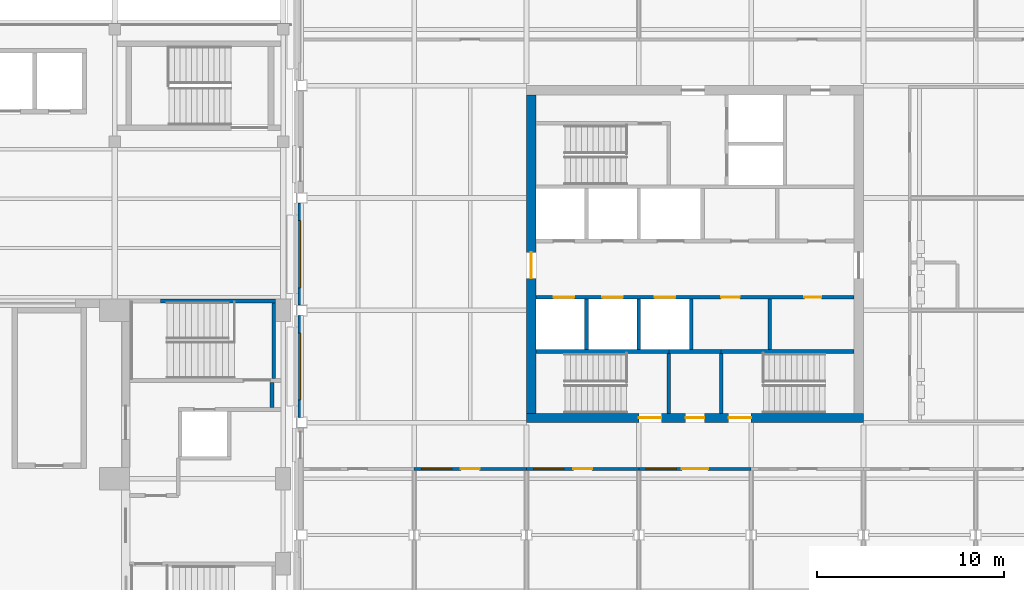
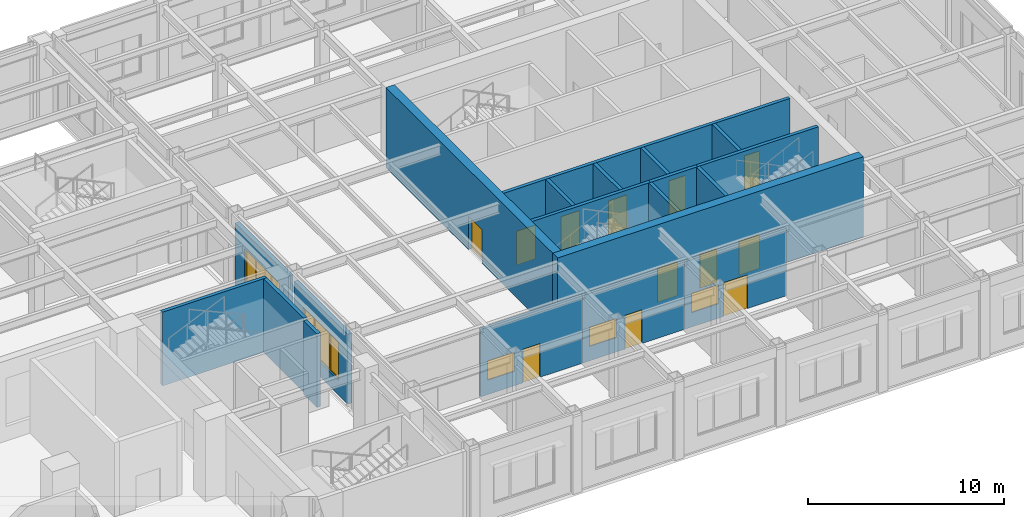
# One storey, part 41 of 76: 20 walls, 12 doors, 5 windows, 17 openings.
"""IFC4 building model written with IfcOpenShell, lengths in metres."""

from ifc_helpers import new_model, si_unit, direction, frame, frame_2d, origin, place, context, subcontext, project, spatial, polyline, rectangle, outline, extrude, material, layer, layer_set, type_object, element, fill, save


model = new_model("IFC4")

# Units and contexts
model_context = context("Model", 3, precision=1e-05, world=origin(), true_north=direction((0.0, 1.0)))
body_context = subcontext(model_context, "Body", "Model", "MODEL_VIEW")
ifc_project = project(units=[si_unit("LENGTHUNIT", "METRE"), si_unit("AREAUNIT", "SQUARE_METRE"), si_unit("VOLUMEUNIT", "CUBIC_METRE"), si_unit("PLANEANGLEUNIT", "RADIAN"), si_unit("MASSUNIT", "GRAM", prefix="KILO")], contexts=[model_context])

# Site, building, storey
site_placement = place(None, origin())
site = spatial("IfcSite", under=ifc_project, at=site_placement, CompositionType="ELEMENT")
building_placement = place(site_placement, origin())
building = spatial("IfcBuilding", under=site, at=building_placement, Name="Aravalli Gate Trade Fair Centre", CompositionType="ELEMENT")
storey_placement = place(building_placement, frame((0.0, 0.0, 10.0)))
storey = spatial("IfcBuildingStorey", under=building, at=storey_placement, Name="L02", CompositionType="ELEMENT", Elevation=10.0)

# Walls
ifc_material_1 = material(Name="Concrete M30", Category="concrete")
ifc_layer_1 = layer(ifc_material_1, 0.2099609375, Name="Reinforced concrete")
ifc_material_2 = material(Name="Terracotta cladding", Category="masonry")
ifc_layer_2 = layer(ifc_material_2, 0.0400390625, Name="Terracotta cladding")
ifc_layer_set_1 = layer_set([ifc_layer_1, ifc_layer_2], Name="Link external wall 250")
wall_type_1 = type_object("IfcWallType", Name="Link external wall 250", PredefinedType="SOLIDWALL", material=ifc_layer_set_1)
wall_1_placement = place(storey_placement, frame((152.449951171875, 109.5, 0.0), z_axis=(0.0, 0.0, 1.0), x_axis=(1.0, 0.0, 0.0)))
element("IfcWall", 1, at=wall_1_placement, inside=storey, type_object=wall_type_1, Name="Link wall N2 L02", PredefinedType="SOLIDWALL", context=body_context, shape_type="SweptSolid", body=[
    extrude(rectangle(XDim=6.150146484375, YDim=0.199951171875, at=frame_2d((3.0751953125, 0.0))), origin(), (0.0, 0.0, 1.0), 4.590087890625),
])
ifc_layer_3 = layer(ifc_material_1, 0.199951171875)
ifc_layer_set_2 = layer_set([ifc_layer_3], Name="Concrete M30")
wall_type_2 = type_object("IfcWallType", Name="Link stair enclosure 200", PredefinedType="SOLIDWALL", material=ifc_layer_set_2)
wall_2_placement = place(storey_placement, frame((158.5, 105.35009765625, 0.0), z_axis=(0.0, 0.0, 1.0), x_axis=(0.0, 1.0, 0.0)))
element("IfcWall", 2, at=wall_2_placement, inside=storey, type_object=wall_type_2, Name="Link wall LBE L02", PredefinedType="SOLIDWALL", context=body_context, shape_type="SweptSolid", body=[
    extrude(rectangle(XDim=4.0498046875, YDim=0.199951171875, at=frame_2d((2.02490234375, 0.0))), origin(), (0.0, 0.0, 1.0), 4.590087890625),
])
wall_3_placement = place(storey_placement, frame((158.39990234375, 103.800048828125, 0.0), z_axis=(0.0, 0.0, 1.0), x_axis=(0.0, 1.0, 0.0)))
element("IfcWall", 3, at=wall_3_placement, inside=storey, type_object=wall_type_2, Name="Link wall FHE L02", PredefinedType="SOLIDWALL", context=body_context, shape_type="SweptSolid", body=[
    extrude(rectangle(XDim=1.349853515625, YDim=0.199951171875, at=frame_2d((0.6748046875, 0.0))), origin(), (0.0, 0.0, 1.0), 4.590087890625),
])
ifc_layer_4 = layer(ifc_material_1, 0.199951171875)
ifc_layer_set_3 = layer_set([ifc_layer_4], Name="Concrete M30")
wall_type_3 = type_object("IfcWallType", Name="Wing core internal wall 200 (EI 120, lift shaft)", PredefinedType="SOLIDWALL", material=ifc_layer_set_3)
wall_4_placement = place(storey_placement, frame((172.5, 106.800048828125, 0.0), z_axis=(0.0, 0.0, 1.0), x_axis=(1.0, 0.0, 0.0)))
element("IfcWall", 4, at=wall_4_placement, inside=storey, type_object=wall_type_3, Name="Core wall S-REAR-W L02", PredefinedType="SOLIDWALL", context=body_context, shape_type="SweptSolid", body=[
    extrude(rectangle(XDim=7.10009765625, YDim=0.199951171875, at=frame_2d((3.550048828125, 0.0))), origin(), (0.0, 0.0, 1.0), 4.800048828125),
])
wall_5_placement = place(storey_placement, frame((179.60009765625, 106.800048828125, 0.0), z_axis=(0.0, 0.0, 1.0), x_axis=(1.0, 0.0, 0.0)))
element("IfcWall", 5, at=wall_5_placement, inside=storey, type_object=wall_type_3, Name="Core wall S-REAR-M L02", PredefinedType="SOLIDWALL", context=body_context, shape_type="SweptSolid", body=[
    extrude(rectangle(XDim=2.7998046875, YDim=0.199951171875, at=frame_2d((1.39990234375, 0.0))), origin(), (0.0, 0.0, 1.0), 4.800048828125),
])
wall_6_placement = place(storey_placement, frame((182.39990234375, 106.800048828125, 0.0), z_axis=(0.0, 0.0, 1.0), x_axis=(1.0, 0.0, 0.0)))
element("IfcWall", 6, at=wall_6_placement, inside=storey, type_object=wall_type_3, Name="Core wall S-REAR-E L02", PredefinedType="SOLIDWALL", context=body_context, shape_type="SweptSolid", body=[
    extrude(rectangle(XDim=7.10009765625, YDim=0.199951171875, at=frame_2d((3.550048828125, 0.0))), origin(), (0.0, 0.0, 1.0), 4.800048828125),
])
for number, where, z_axis, x_axis, name in (
    (7, (175.199951171875, 106.89990234375, 0.0), (0.0, 0.0, 1.0), (0.0, 1.0, 0.0), "Core wall SB-3.2 L02"),
    (8, (178.0, 106.89990234375, 0.0), (0.0, 0.0, 1.0), (0.0, 1.0, 0.0), "Core wall SB-6.0 L02"),
    (9, (180.800048828125, 106.89990234375, 0.0), (0.0, 0.0, 1.0), (0.0, 1.0, 0.0), "Core wall SB-8.8 L02"),
):
    element("IfcWall", number, at=place(storey_placement, frame(where, z_axis=z_axis, x_axis=x_axis)), inside=storey, type_object=wall_type_3, Name=name, PredefinedType="SOLIDWALL", context=body_context, shape_type="SweptSolid", body=[
        extrude(rectangle(XDim=2.7001953125, YDim=0.199951171875, at=frame_2d((1.35009765625, 0.0))), origin(), (0.0, 0.0, 1.0), 4.800048828125),
    ])

# Wall, openings, doors
wall_7_placement = place(storey_placement, frame((172.5, 109.699951171875, 0.0), z_axis=(0.0, 0.0, 1.0), x_axis=(1.0, 0.0, 0.0)))
wall_7 = element("IfcWall", 10, at=wall_7_placement, inside=storey, type_object=wall_type_3, Name="Core wall S-FRONT L02", PredefinedType="SOLIDWALL", context=body_context, shape_type="SweptSolid", body=[
    extrude(rectangle(XDim=17.0, YDim=0.199951171875, at=frame_2d((8.5, 0.0))), origin(), (0.0, 0.0, 1.0), 4.800048828125),
])
opening_1_placement = place(wall_7_placement, frame((0.949951171875, 0.0, 0.0)))
opening_1 = element("IfcOpeningElement", 11, at=opening_1_placement, cuts=wall_7, Name="Opening T-L02-111", PredefinedType="OPENING", context=body_context, shape_type="SweptSolid", body=[
    extrude(rectangle(XDim=1.10009765625, YDim=2.10009765625, at=frame_2d((0.550048828125, 1.050048828125))), frame((0.0, 0.10986328125, 0.0), z_axis=(0.0, -1.0, 0.0), x_axis=(1.0, 0.0, 0.0)), (0.0, 0.0, 1.0), 0.219970703125),
])
opening_2_placement = place(wall_7_placement, frame((3.550048828125, 0.0, 0.0)))
opening_2 = element("IfcOpeningElement", 12, at=opening_2_placement, cuts=wall_7, Name="Opening T-L02-112", PredefinedType="OPENING", context=body_context, shape_type="SweptSolid", body=[
    extrude(rectangle(XDim=1.10009765625, YDim=2.10009765625, at=frame_2d((0.550048828125, 1.050048828125))), frame((0.0, 0.10986328125, 0.0), z_axis=(0.0, -1.0, 0.0), x_axis=(1.0, 0.0, 0.0)), (0.0, 0.0, 1.0), 0.219970703125),
])
opening_3_placement = place(wall_7_placement, frame((6.35009765625, 0.0, 0.0)))
opening_3 = element("IfcOpeningElement", 13, at=opening_3_placement, cuts=wall_7, Name="Opening T-L02-113", PredefinedType="OPENING", context=body_context, shape_type="SweptSolid", body=[
    extrude(rectangle(XDim=1.10009765625, YDim=2.10009765625, at=frame_2d((0.550048828125, 1.050048828125))), frame((0.0, 0.10986328125, 0.0), z_axis=(0.0, -1.0, 0.0), x_axis=(1.0, 0.0, 0.0)), (0.0, 0.0, 1.0), 0.219970703125),
])
opening_4_placement = place(wall_7_placement, frame((9.89990234375, 0.0, 0.0)))
opening_4 = element("IfcOpeningElement", 14, at=opening_4_placement, cuts=wall_7, Name="Opening T-L02-114", PredefinedType="OPENING", context=body_context, shape_type="SweptSolid", body=[
    extrude(rectangle(XDim=1.0, YDim=2.10009765625, at=frame_2d((0.5, 1.050048828125))), frame((0.0, 0.10986328125, 0.0), z_axis=(0.0, -1.0, 0.0), x_axis=(1.0, 0.0, 0.0)), (0.0, 0.0, 1.0), 0.219970703125),
])
opening_5_placement = place(wall_7_placement, frame((14.35009765625, 0.0, 0.0)))
opening_5 = element("IfcOpeningElement", 15, at=opening_5_placement, cuts=wall_7, Name="Opening T-L02-115", PredefinedType="OPENING", context=body_context, shape_type="SweptSolid", body=[
    extrude(rectangle(XDim=0.89990234375, YDim=2.10009765625, at=frame_2d((0.449951171875, 1.050048828125))), frame((0.0, 0.10986328125, 0.0), z_axis=(0.0, -1.0, 0.0), x_axis=(1.0, 0.0, 0.0)), (0.0, 0.0, 1.0), 0.219970703125),
])
ifc_material_3 = material(Name="Steel, fire rated", Category="steel")
door_type_1 = type_object("IfcDoorType", Name="Wing fire door FD120 1000 x 2100", OperationType="SINGLE_SWING_LEFT", PredefinedType="DOOR", material=ifc_material_3)
door_1_placement = place(opening_4_placement, frame((1.0, 0.0, 0.0), z_axis=(0.0, 0.0, 1.0), x_axis=(-1.0, 0.0, 0.0)))
door_1 = element("IfcDoor", 16, at=door_1_placement, inside=storey, type_object=door_type_1, Name="Core door T-L02-114", OperationType="SINGLE_SWING_RIGHT", OverallHeight=2.10009765625, OverallWidth=1.0, PredefinedType="DOOR", context=body_context, shape_type="SweptSolid", body=[
    extrude(rectangle(XDim=1.0, YDim=2.10009765625, at=frame_2d((0.5, 1.050048828125))), frame((0.0, 0.02490234375, 0.0), z_axis=(0.0, -1.0, 0.0), x_axis=(1.0, 0.0, 0.0)), (0.0, 0.0, 1.0), 0.050048828125),
])
fill(opening_4, door_1)
door_type_2 = type_object("IfcDoorType", Name="Wing fire door FD120 900 x 2100", OperationType="SINGLE_SWING_LEFT", PredefinedType="DOOR", material=ifc_material_3)
door_2_placement = place(opening_5_placement, frame((0.89990234375, 0.0, 0.0), z_axis=(0.0, 0.0, 1.0), x_axis=(-1.0, 0.0, 0.0)))
door_2 = element("IfcDoor", 17, at=door_2_placement, inside=storey, type_object=door_type_2, Name="Core door T-L02-115", OperationType="SINGLE_SWING_LEFT", OverallHeight=2.10009765625, OverallWidth=0.89990234375, PredefinedType="DOOR", context=body_context, shape_type="SweptSolid", body=[
    extrude(rectangle(XDim=0.89990234375, YDim=2.10009765625, at=frame_2d((0.449951171875, 1.050048828125))), frame((0.0, 0.02490234375, 0.0), z_axis=(0.0, -1.0, 0.0), x_axis=(1.0, 0.0, 0.0)), (0.0, 0.0, 1.0), 0.050048828125),
])
fill(opening_5, door_2)
ifc_material_4 = material(Name="Elevator door panels")
door_type_3 = type_object("IfcDoorType", Name="Wing lift landing door 1100 x 2100", OperationType="SLIDING_TO_LEFT", PredefinedType="DOOR", material=ifc_material_4)
door_3_placement = place(opening_1_placement, origin())
door_3 = element("IfcDoor", 18, at=door_3_placement, inside=storey, type_object=door_type_3, Name="Landing door T-L02-111", OperationType="SLIDING_TO_LEFT", OverallHeight=2.10009765625, OverallWidth=1.10009765625, PredefinedType="DOOR", context=body_context, shape_type="SweptSolid", body=[
    extrude(rectangle(XDim=1.10009765625, YDim=2.10009765625, at=frame_2d((0.550048828125, 1.050048828125))), frame((0.0, 0.02490234375, 0.0), z_axis=(0.0, -1.0, 0.0), x_axis=(1.0, 0.0, 0.0)), (0.0, 0.0, 1.0), 0.050048828125),
])
fill(opening_1, door_3)
door_4_placement = place(opening_2_placement, origin())
door_4 = element("IfcDoor", 19, at=door_4_placement, inside=storey, type_object=door_type_3, Name="Landing door T-L02-112", OperationType="SLIDING_TO_LEFT", OverallHeight=2.10009765625, OverallWidth=1.10009765625, PredefinedType="DOOR", context=body_context, shape_type="SweptSolid", body=[
    extrude(rectangle(XDim=1.10009765625, YDim=2.10009765625, at=frame_2d((0.550048828125, 1.050048828125))), frame((0.0, 0.02490234375, 0.0), z_axis=(0.0, -1.0, 0.0), x_axis=(1.0, 0.0, 0.0)), (0.0, 0.0, 1.0), 0.050048828125),
])
fill(opening_2, door_4)
door_5_placement = place(opening_3_placement, origin())
door_5 = element("IfcDoor", 20, at=door_5_placement, inside=storey, type_object=door_type_3, Name="Landing door T-L02-113", OperationType="SLIDING_TO_LEFT", OverallHeight=2.10009765625, OverallWidth=1.10009765625, PredefinedType="DOOR", context=body_context, shape_type="SweptSolid", body=[
    extrude(rectangle(XDim=1.10009765625, YDim=2.10009765625, at=frame_2d((0.550048828125, 1.050048828125))), frame((0.0, 0.02490234375, 0.0), z_axis=(0.0, -1.0, 0.0), x_axis=(1.0, 0.0, 0.0)), (0.0, 0.0, 1.0), 0.050048828125),
])
fill(opening_3, door_5)

# Walls
ifc_material_5 = material(Name="Concrete block masonry", Category="masonry")
ifc_layer_5 = layer(ifc_material_5, 0.199951171875)
ifc_layer_set_4 = layer_set([ifc_layer_5], Name="Concrete block masonry")
wall_type_4 = type_object("IfcWallType", Name="Wing core internal wall 200 (EI 120, riser shaft)", PredefinedType="SOLIDWALL", material=ifc_layer_set_4)
wall_8_placement = place(storey_placement, frame((185.0, 106.89990234375, 0.0), z_axis=(0.0, 0.0, 1.0), x_axis=(0.0, 1.0, 0.0)))
element("IfcWall", 21, at=wall_8_placement, inside=storey, type_object=wall_type_4, Name="Core wall SB-13 L02", PredefinedType="SOLIDWALL", context=body_context, shape_type="SweptSolid", body=[
    extrude(rectangle(XDim=2.7001953125, YDim=0.199951171875, at=frame_2d((1.35009765625, 0.0))), origin(), (0.0, 0.0, 1.0), 4.800048828125),
])
ifc_layer_6 = layer(ifc_material_1, 0.199951171875)
ifc_layer_set_5 = layer_set([ifc_layer_6], Name="Concrete M30")
wall_type_5 = type_object("IfcWallType", Name="Wing core internal wall 200 (EI 120, stair enclosure)", PredefinedType="SOLIDWALL", material=ifc_layer_set_5)
for number, where, z_axis, x_axis, name in (
    (22, (179.60009765625, 103.5, 0.0), (0.0, 0.0, 1.0), (0.0, 1.0, 0.0), "Core wall S-AB L02"),
    (23, (182.39990234375, 103.5, 0.0), (0.0, 0.0, 1.0), (0.0, 1.0, 0.0), "Core wall S-BC L02"),
):
    element("IfcWall", number, at=place(storey_placement, frame(where, z_axis=z_axis, x_axis=x_axis)), inside=storey, type_object=wall_type_5, Name=name, PredefinedType="SOLIDWALL", context=body_context, shape_type="SweptSolid", body=[
        extrude(rectangle(XDim=3.199951171875, YDim=0.199951171875, at=frame_2d((1.60009765625, 0.0))), origin(), (0.0, 0.0, 1.0), 4.800048828125),
    ])

# Wall, openings, doors
ifc_material_6 = material(Name="Concrete M50", Category="concrete")
ifc_layer_7 = layer(ifc_material_6, 0.5)
ifc_layer_set_6 = layer_set([ifc_layer_7], Name="Concrete M50")
wall_type_6 = type_object("IfcWallType", Name="Wing core shear wall 500", PredefinedType="SHEAR", material=ifc_layer_set_6)
wall_9_placement = place(storey_placement, frame((172.0, 103.25, 0.0), z_axis=(0.0, 0.0, 1.0), x_axis=(1.0, 0.0, 0.0)))
wall_9 = element("IfcWall", 24, at=wall_9_placement, inside=storey, type_object=wall_type_6, Name="Core wall S L02", PredefinedType="SHEAR", context=body_context, shape_type="SweptSolid", body=[
    extrude(rectangle(XDim=18.0, YDim=0.5, at=frame_2d((9.0, 0.0))), origin(), (0.0, 0.0, 1.0), 5.0),
])
opening_6_placement = place(wall_9_placement, frame((8.5, 0.0, 0.0)))
opening_6 = element("IfcOpeningElement", 25, at=opening_6_placement, cuts=wall_9, Name="Opening T-L02-102", PredefinedType="OPENING", context=body_context, shape_type="SweptSolid", body=[
    extrude(rectangle(XDim=1.0, YDim=2.10009765625, at=frame_2d((0.5, 1.050048828125))), frame((0.0, 0.260009765625, 0.0), z_axis=(0.0, -1.0, 0.0), x_axis=(1.0, 0.0, 0.0)), (0.0, 0.0, 1.0), 0.52001953125),
])
opening_7_placement = place(wall_9_placement, frame((6.0, 0.0, 0.0)))
opening_7 = element("IfcOpeningElement", 26, at=opening_7_placement, cuts=wall_9, Name="Opening T-L02-101", PredefinedType="OPENING", context=body_context, shape_type="SweptSolid", body=[
    extrude(rectangle(XDim=1.199951171875, YDim=2.10009765625, at=frame_2d((0.60009765625, 1.050048828125))), frame((0.0, 0.260009765625, 0.0), z_axis=(0.0, -1.0, 0.0), x_axis=(1.0, 0.0, 0.0)), (0.0, 0.0, 1.0), 0.52001953125),
])
opening_8_placement = place(wall_9_placement, frame((10.800048828125, 0.0, 0.0)))
opening_8 = element("IfcOpeningElement", 27, at=opening_8_placement, cuts=wall_9, Name="Opening T-L02-103", PredefinedType="OPENING", context=body_context, shape_type="SweptSolid", body=[
    extrude(rectangle(XDim=1.199951171875, YDim=2.10009765625, at=frame_2d((0.60009765625, 1.050048828125))), frame((0.0, 0.260009765625, 0.0), z_axis=(0.0, -1.0, 0.0), x_axis=(1.0, 0.0, 0.0)), (0.0, 0.0, 1.0), 0.52001953125),
])
door_6_placement = place(opening_6_placement, origin())
door_6 = element("IfcDoor", 28, at=door_6_placement, inside=storey, type_object=door_type_1, Name="Core door T-L02-102", OperationType="SINGLE_SWING_LEFT", OverallHeight=2.10009765625, OverallWidth=1.0, PredefinedType="DOOR", context=body_context, shape_type="SweptSolid", body=[
    extrude(rectangle(XDim=1.0, YDim=2.10009765625, at=frame_2d((0.5, 1.050048828125))), frame((0.0, 0.02490234375, 0.0), z_axis=(0.0, -1.0, 0.0), x_axis=(1.0, 0.0, 0.0)), (0.0, 0.0, 1.0), 0.050048828125),
])
fill(opening_6, door_6)
door_type_4 = type_object("IfcDoorType", Name="Wing fire door FD120 1200 x 2100", OperationType="SINGLE_SWING_LEFT", PredefinedType="DOOR", material=ifc_material_3)
door_7_placement = place(opening_7_placement, origin())
door_7 = element("IfcDoor", 29, at=door_7_placement, inside=storey, type_object=door_type_4, Name="Core door T-L02-101", OperationType="SINGLE_SWING_RIGHT", OverallHeight=2.10009765625, OverallWidth=1.199951171875, PredefinedType="DOOR", context=body_context, shape_type="SweptSolid", body=[
    extrude(rectangle(XDim=1.199951171875, YDim=2.10009765625, at=frame_2d((0.60009765625, 1.050048828125))), frame((0.0, 0.02490234375, 0.0), z_axis=(0.0, -1.0, 0.0), x_axis=(1.0, 0.0, 0.0)), (0.0, 0.0, 1.0), 0.050048828125),
])
fill(opening_7, door_7)
door_8_placement = place(opening_8_placement, origin())
door_8 = element("IfcDoor", 30, at=door_8_placement, inside=storey, type_object=door_type_4, Name="Core door T-L02-103", OperationType="SINGLE_SWING_LEFT", OverallHeight=2.10009765625, OverallWidth=1.199951171875, PredefinedType="DOOR", context=body_context, shape_type="SweptSolid", body=[
    extrude(rectangle(XDim=1.199951171875, YDim=2.10009765625, at=frame_2d((0.60009765625, 1.050048828125))), frame((0.0, 0.02490234375, 0.0), z_axis=(0.0, -1.0, 0.0), x_axis=(1.0, 0.0, 0.0)), (0.0, 0.0, 1.0), 0.050048828125),
])
fill(opening_8, door_8)

# Wall, opening, door
wall_10_placement = place(storey_placement, frame((172.25, 103.5, 0.0), z_axis=(0.0, 0.0, 1.0), x_axis=(0.0, 1.0, 0.0)))
wall_10 = element("IfcWall", 31, at=wall_10_placement, inside=storey, type_object=wall_type_6, Name="Core wall W L02", PredefinedType="SHEAR", context=body_context, shape_type="SweptSolid", body=[
    extrude(rectangle(XDim=17.0, YDim=0.5, at=frame_2d((8.5, 0.0))), origin(), (0.0, 0.0, 1.0), 5.0),
])
opening_9_placement = place(wall_10_placement, frame((7.199951171875, 0.0, 0.0)))
opening_9 = element("IfcOpeningElement", 32, at=opening_9_placement, cuts=wall_10, Name="Opening T-L02-106", PredefinedType="OPENING", context=body_context, shape_type="SweptSolid", body=[
    extrude(rectangle(XDim=1.39990234375, YDim=2.10009765625, at=frame_2d((0.699951171875, 1.050048828125))), frame((0.0, 0.260009765625, 0.0), z_axis=(0.0, -1.0, 0.0), x_axis=(1.0, 0.0, 0.0)), (0.0, 0.0, 1.0), 0.52001953125),
])
door_type_5 = type_object("IfcDoorType", Name="Wing fire door FD120 1400 x 2100", OperationType="DOUBLE_DOOR_SINGLE_SWING", PredefinedType="DOOR", material=ifc_material_3)
door_9_placement = place(opening_9_placement, origin())
door_9 = element("IfcDoor", 33, at=door_9_placement, inside=storey, type_object=door_type_5, Name="Core door T-L02-106", OperationType="DOUBLE_DOOR_SINGLE_SWING", OverallHeight=2.10009765625, OverallWidth=1.39990234375, PredefinedType="DOOR", context=body_context, shape_type="SweptSolid", body=[
    extrude(rectangle(XDim=1.39990234375, YDim=2.10009765625, at=frame_2d((0.699951171875, 1.050048828125))), frame((0.0, 0.02490234375, 0.0), z_axis=(0.0, -1.0, 0.0), x_axis=(1.0, 0.0, 0.0)), (0.0, 0.0, 1.0), 0.050048828125),
])
fill(opening_9, door_9)

# Wall, openings, door, window
ifc_material_7 = material(Name="Blockwork with fire-rated lining", Category="masonry")
ifc_layer_8 = layer(ifc_material_7, 0.14990234375)
ifc_layer_set_7 = layer_set([ifc_layer_8], Name="Blockwork with fire-rated lining")
wall_type_7 = type_object("IfcWallType", Name="Wing partition 150 (EI 60, corridor wall)", PredefinedType="PARTITIONING", material=ifc_layer_set_7)
wall_11_placement = place(storey_placement, frame((166.0, 100.52490234375, 0.0), z_axis=(0.0, 0.0, 1.0), x_axis=(1.0, 0.0, 0.0)))
wall_11 = element("IfcWall", 34, at=wall_11_placement, inside=storey, type_object=wall_type_7, Name="Partition SW2 L02", PredefinedType="PARTITIONING", context=body_context, shape_type="SweptSolid", body=[
    extrude(rectangle(XDim=6.0, YDim=0.14990234375, at=frame_2d((3.0, 0.0))), origin(), (0.0, 0.0, 1.0), 4.199951171875),
])
opening_10_placement = place(wall_11_placement, frame((0.39990234375, 0.0, 0.89990234375)))
opening_10 = element("IfcOpeningElement", 35, at=opening_10_placement, cuts=wall_11, Name="Opening TWN2", PredefinedType="OPENING", context=body_context, shape_type="SweptSolid", body=[
    extrude(rectangle(XDim=1.60009765625, YDim=1.199951171875, at=frame_2d((0.800048828125, 0.60009765625))), frame((0.0, 0.0849609375, 0.0), z_axis=(0.0, -1.0, 0.0), x_axis=(1.0, 0.0, 0.0)), (0.0, 0.0, 1.0), 0.169921875),
])
opening_11_placement = place(wall_11_placement, frame((2.5, 0.0, 0.0)))
opening_11 = element("IfcOpeningElement", 36, at=opening_11_placement, cuts=wall_11, Name="Opening T-L02-142", PredefinedType="OPENING", context=body_context, shape_type="SweptSolid", body=[
    extrude(rectangle(XDim=1.0, YDim=2.10009765625, at=frame_2d((0.5, 1.050048828125))), frame((0.0, 0.0849609375, 0.0), z_axis=(0.0, -1.0, 0.0), x_axis=(1.0, 0.0, 0.0)), (0.0, 0.0, 1.0), 0.169921875),
])
door_type_6 = type_object("IfcDoorType", Name="Wing fire door FD60 1000 x 2100", OperationType="SINGLE_SWING_LEFT", PredefinedType="DOOR", material=ifc_material_3)
door_10_placement = place(opening_11_placement, frame((1.0, 0.0, 0.0), z_axis=(0.0, 0.0, 1.0), x_axis=(-1.0, 0.0, 0.0)))
door_10 = element("IfcDoor", 37, at=door_10_placement, inside=storey, type_object=door_type_6, Name="Door T-L02-142", OperationType="SINGLE_SWING_LEFT", OverallHeight=2.10009765625, OverallWidth=1.0, PredefinedType="DOOR", context=body_context, shape_type="SweptSolid", body=[
    extrude(rectangle(XDim=1.0, YDim=2.10009765625, at=frame_2d((0.5, 1.050048828125))), frame((0.0, 0.02490234375, 0.0), z_axis=(0.0, -1.0, 0.0), x_axis=(1.0, 0.0, 0.0)), (0.0, 0.0, 1.0), 0.050048828125),
])
fill(opening_11, door_10)
ifc_material_8 = material(Name="Aluminium and glass", Category="aluminium")
window_type_1 = type_object("IfcWindowType", Name="Wing interior glazed screen 1600 x 1200", PartitioningType="SINGLE_PANEL", PredefinedType="WINDOW", material=ifc_material_8)
window_1_placement = place(opening_10_placement, origin())
window_1 = element("IfcWindow", 38, at=window_1_placement, inside=storey, type_object=window_type_1, Name="Glazed screen T-L02-142", OverallHeight=1.199951171875, OverallWidth=1.60009765625, PartitioningType="SINGLE_PANEL", PredefinedType="WINDOW", context=body_context, shape_type="SweptSolid", body=[
    extrude(rectangle(XDim=1.60009765625, YDim=1.199951171875, at=frame_2d((0.800048828125, 0.60009765625))), frame((0.0, 0.030029296875, 0.0), z_axis=(0.0, -1.0, 0.0), x_axis=(1.0, 0.0, 0.0)), (0.0, 0.0, 1.0), 0.06005859375),
])
fill(opening_10, window_1)

wall_12_placement = place(storey_placement, frame((172.0, 100.52490234375, 0.0), z_axis=(0.0, 0.0, 1.0), x_axis=(1.0, 0.0, 0.0)))
wall_12 = element("IfcWall", 39, at=wall_12_placement, inside=storey, type_object=wall_type_7, Name="Partition SW3 L02", PredefinedType="PARTITIONING", context=body_context, shape_type="SweptSolid", body=[
    extrude(rectangle(XDim=6.0, YDim=0.14990234375, at=frame_2d((3.0, 0.0))), origin(), (0.0, 0.0, 1.0), 4.199951171875),
])
opening_12_placement = place(wall_12_placement, frame((0.39990234375, 0.0, 0.89990234375)))
opening_12 = element("IfcOpeningElement", 40, at=opening_12_placement, cuts=wall_12, Name="Opening TWN2", PredefinedType="OPENING", context=body_context, shape_type="SweptSolid", body=[
    extrude(rectangle(XDim=1.60009765625, YDim=1.199951171875, at=frame_2d((0.800048828125, 0.60009765625))), frame((0.0, 0.0849609375, 0.0), z_axis=(0.0, -1.0, 0.0), x_axis=(1.0, 0.0, 0.0)), (0.0, 0.0, 1.0), 0.169921875),
])
opening_13_placement = place(wall_12_placement, frame((2.5, 0.0, 0.0)))
opening_13 = element("IfcOpeningElement", 41, at=opening_13_placement, cuts=wall_12, Name="Opening T-L02-143", PredefinedType="OPENING", context=body_context, shape_type="SweptSolid", body=[
    extrude(rectangle(XDim=1.0, YDim=2.10009765625, at=frame_2d((0.5, 1.050048828125))), frame((0.0, 0.0849609375, 0.0), z_axis=(0.0, -1.0, 0.0), x_axis=(1.0, 0.0, 0.0)), (0.0, 0.0, 1.0), 0.169921875),
])
door_11_placement = place(opening_13_placement, frame((1.0, 0.0, 0.0), z_axis=(0.0, 0.0, 1.0), x_axis=(-1.0, 0.0, 0.0)))
door_11 = element("IfcDoor", 42, at=door_11_placement, inside=storey, type_object=door_type_6, Name="Door T-L02-143", OperationType="SINGLE_SWING_RIGHT", OverallHeight=2.10009765625, OverallWidth=1.0, PredefinedType="DOOR", context=body_context, shape_type="SweptSolid", body=[
    extrude(rectangle(XDim=1.0, YDim=2.10009765625, at=frame_2d((0.5, 1.050048828125))), frame((0.0, 0.02490234375, 0.0), z_axis=(0.0, -1.0, 0.0), x_axis=(1.0, 0.0, 0.0)), (0.0, 0.0, 1.0), 0.050048828125),
])
fill(opening_13, door_11)
window_2_placement = place(opening_12_placement, origin())
window_2 = element("IfcWindow", 43, at=window_2_placement, inside=storey, type_object=window_type_1, Name="Glazed screen T-L02-143", OverallHeight=1.199951171875, OverallWidth=1.60009765625, PartitioningType="SINGLE_PANEL", PredefinedType="WINDOW", context=body_context, shape_type="SweptSolid", body=[
    extrude(rectangle(XDim=1.60009765625, YDim=1.199951171875, at=frame_2d((0.800048828125, 0.60009765625))), frame((0.0, 0.030029296875, 0.0), z_axis=(0.0, -1.0, 0.0), x_axis=(1.0, 0.0, 0.0)), (0.0, 0.0, 1.0), 0.06005859375),
])
fill(opening_12, window_2)

wall_13_placement = place(storey_placement, frame((178.0, 100.52490234375, 0.0), z_axis=(0.0, 0.0, 1.0), x_axis=(1.0, 0.0, 0.0)))
wall_13 = element("IfcWall", 44, at=wall_13_placement, inside=storey, type_object=wall_type_7, Name="Partition SW4 L02", PredefinedType="PARTITIONING", context=body_context, shape_type="SweptSolid", body=[
    extrude(rectangle(XDim=6.0, YDim=0.14990234375, at=frame_2d((3.0, 0.0))), origin(), (0.0, 0.0, 1.0), 4.199951171875),
])
opening_14_placement = place(wall_13_placement, frame((0.39990234375, 0.0, 0.89990234375)))
opening_14 = element("IfcOpeningElement", 45, at=opening_14_placement, cuts=wall_13, Name="Opening TWN2", PredefinedType="OPENING", context=body_context, shape_type="SweptSolid", body=[
    extrude(rectangle(XDim=1.60009765625, YDim=1.199951171875, at=frame_2d((0.800048828125, 0.60009765625))), frame((0.0, 0.0849609375, 0.0), z_axis=(0.0, -1.0, 0.0), x_axis=(1.0, 0.0, 0.0)), (0.0, 0.0, 1.0), 0.169921875),
])
opening_15_placement = place(wall_13_placement, frame((2.300048828125, 0.0, 0.0)))
opening_15 = element("IfcOpeningElement", 46, at=opening_15_placement, cuts=wall_13, Name="Opening T-L02-144", PredefinedType="OPENING", context=body_context, shape_type="SweptSolid", body=[
    extrude(rectangle(XDim=1.39990234375, YDim=2.10009765625, at=frame_2d((0.699951171875, 1.050048828125))), frame((0.0, 0.0849609375, 0.0), z_axis=(0.0, -1.0, 0.0), x_axis=(1.0, 0.0, 0.0)), (0.0, 0.0, 1.0), 0.169921875),
])
door_type_7 = type_object("IfcDoorType", Name="Wing fire door FD60 1400 x 2100", OperationType="DOUBLE_DOOR_SINGLE_SWING", PredefinedType="DOOR", material=ifc_material_3)
door_12_placement = place(opening_15_placement, frame((1.39990234375, 0.0, 0.0), z_axis=(0.0, 0.0, 1.0), x_axis=(-1.0, 0.0, 0.0)))
door_12 = element("IfcDoor", 47, at=door_12_placement, inside=storey, type_object=door_type_7, Name="Door T-L02-144", OperationType="DOUBLE_DOOR_SINGLE_SWING", OverallHeight=2.10009765625, OverallWidth=1.39990234375, PredefinedType="DOOR", context=body_context, shape_type="SweptSolid", body=[
    extrude(rectangle(XDim=1.39990234375, YDim=2.10009765625, at=frame_2d((0.699951171875, 1.050048828125))), frame((0.0, 0.02490234375, 0.0), z_axis=(0.0, -1.0, 0.0), x_axis=(1.0, 0.0, 0.0)), (0.0, 0.0, 1.0), 0.050048828125),
])
fill(opening_15, door_12)
window_3_placement = place(opening_14_placement, origin())
window_3 = element("IfcWindow", 48, at=window_3_placement, inside=storey, type_object=window_type_1, Name="Glazed screen T-L02-144", OverallHeight=1.199951171875, OverallWidth=1.60009765625, PartitioningType="SINGLE_PANEL", PredefinedType="WINDOW", context=body_context, shape_type="SweptSolid", body=[
    extrude(rectangle(XDim=1.60009765625, YDim=1.199951171875, at=frame_2d((0.800048828125, 0.60009765625))), frame((0.0, 0.030029296875, 0.0), z_axis=(0.0, -1.0, 0.0), x_axis=(1.0, 0.0, 0.0)), (0.0, 0.0, 1.0), 0.06005859375),
])
fill(opening_14, window_3)

# Wall, opening, window
ifc_layer_9 = layer(ifc_material_5, 0.2099609375, Name="Block masonry")
ifc_layer_10 = layer(ifc_material_2, 0.0400390625, Name="Terracotta cladding")
ifc_layer_set_8 = layer_set([ifc_layer_9, ifc_layer_10], Name="Wing west closing wall 250")
wall_type_8 = type_object("IfcWallType", Name="Wing west closing wall 250", PredefinedType="SOLIDWALL", material=ifc_layer_set_8)
wall_14_placement = place(storey_placement, frame((159.925048828125, 103.27490234375, 0.0), z_axis=(0.0, 0.0, 1.0), x_axis=(0.0, 1.0, 0.0)))
wall_14 = element("IfcWall", 49, at=wall_14_placement, inside=storey, type_object=wall_type_8, Name="Facade wall W2 L02", PredefinedType="SOLIDWALL", context=body_context, shape_type="SweptSolid", body=[
    extrude(rectangle(XDim=5.4501953125, YDim=0.25, at=frame_2d((2.72509765625, 0.0))), origin(), (0.0, 0.0, 1.0), 4.35009765625),
])
opening_16_placement = place(wall_14_placement, frame((0.925048828125, 0.0, 0.89990234375)))
opening_16 = element("IfcOpeningElement", 50, at=opening_16_placement, cuts=wall_14, Name="Opening TWN1", PredefinedType="OPENING", context=body_context, shape_type="SweptSolid", body=[
    extrude(rectangle(XDim=3.60009765625, YDim=2.39990234375, at=frame_2d((1.800048828125, 1.199951171875))), frame((0.0, 0.135009765625, 0.0), z_axis=(0.0, -1.0, 0.0), x_axis=(1.0, 0.0, 0.0)), (0.0, 0.0, 1.0), 0.27001953125),
])
window_type_2 = type_object("IfcWindowType", Name="Wing chicago window 3600 x 2400", PartitioningType="TRIPLE_PANEL_VERTICAL", PredefinedType="WINDOW", material=ifc_material_8)
window_4_placement = place(opening_16_placement, origin())
window_4 = element("IfcWindow", 51, at=window_4_placement, inside=storey, type_object=window_type_2, Name="Window W2 L02", OverallHeight=2.39990234375, OverallWidth=3.60009765625, PartitioningType="TRIPLE_PANEL_VERTICAL", PredefinedType="WINDOW", context=body_context, shape_type="SweptSolid", body=[
    extrude(outline(polyline([(0.0, 0.0), (3.60009765625, 0.0), (3.60009765625, 2.39990234375), (0.0, 2.39990234375), (0.0, 0.0)]), holes=[polyline([(0.06005859375, 0.06005859375), (0.9599609375, 0.06005859375), (0.9599609375, 2.33984375), (0.06005859375, 2.33984375), (0.06005859375, 0.06005859375)]), polyline([(1.06005859375, 0.06005859375), (2.539794921875, 0.06005859375), (2.539794921875, 2.33984375), (1.06005859375, 2.33984375), (1.06005859375, 0.06005859375)]), polyline([(2.639892578125, 0.06005859375), (3.539794921875, 0.06005859375), (3.539794921875, 2.33984375), (2.639892578125, 2.33984375), (2.639892578125, 0.06005859375)])]), frame((0.0, 0.030029296875, 0.0), z_axis=(0.0, -1.0, 0.0), x_axis=(1.0, 0.0, 0.0)), (0.0, 0.0, 1.0), 0.06005859375),
    extrude(rectangle(XDim=0.923828125, YDim=2.3037109375, at=frame_2d((0.510009765625, 1.199951171875))), frame((0.0, 0.010009765625, 0.0), z_axis=(0.0, -1.0, 0.0), x_axis=(1.0, 0.0, 0.0)), (0.0, 0.0, 1.0), 0.02001953125),
    extrude(rectangle(XDim=1.503662109375, YDim=2.3037109375, at=frame_2d((1.7998046875, 1.199951171875))), frame((0.0, 0.010009765625, 0.0), z_axis=(0.0, -1.0, 0.0), x_axis=(1.0, 0.0, 0.0)), (0.0, 0.0, 1.0), 0.02001953125),
    extrude(rectangle(XDim=0.923828125, YDim=2.3037109375, at=frame_2d((3.08984375, 1.199951171875))), frame((0.0, 0.010009765625, 0.0), z_axis=(0.0, -1.0, 0.0), x_axis=(1.0, 0.0, 0.0)), (0.0, 0.0, 1.0), 0.02001953125),
])
fill(opening_16, window_4)

wall_15_placement = place(storey_placement, frame((159.925048828125, 109.27490234375, 0.0), z_axis=(0.0, 0.0, 1.0), x_axis=(0.0, 1.0, 0.0)))
wall_15 = element("IfcWall", 52, at=wall_15_placement, inside=storey, type_object=wall_type_8, Name="Facade wall W3 L02", PredefinedType="SOLIDWALL", context=body_context, shape_type="SweptSolid", body=[
    extrude(rectangle(XDim=5.4501953125, YDim=0.25, at=frame_2d((2.72509765625, 0.0))), origin(), (0.0, 0.0, 1.0), 4.35009765625),
])
opening_17_placement = place(wall_15_placement, frame((0.925048828125, 0.0, 0.89990234375)))
opening_17 = element("IfcOpeningElement", 53, at=opening_17_placement, cuts=wall_15, Name="Opening TWN1", PredefinedType="OPENING", context=body_context, shape_type="SweptSolid", body=[
    extrude(rectangle(XDim=3.60009765625, YDim=2.39990234375, at=frame_2d((1.800048828125, 1.199951171875))), frame((0.0, 0.135009765625, 0.0), z_axis=(0.0, -1.0, 0.0), x_axis=(1.0, 0.0, 0.0)), (0.0, 0.0, 1.0), 0.27001953125),
])
window_5_placement = place(opening_17_placement, origin())
window_5 = element("IfcWindow", 54, at=window_5_placement, inside=storey, type_object=window_type_2, Name="Window W3 L02", OverallHeight=2.39990234375, OverallWidth=3.60009765625, PartitioningType="TRIPLE_PANEL_VERTICAL", PredefinedType="WINDOW", context=body_context, shape_type="SweptSolid", body=[
    extrude(outline(polyline([(0.0, 0.0), (3.60009765625, 0.0), (3.60009765625, 2.39990234375), (0.0, 2.39990234375), (0.0, 0.0)]), holes=[polyline([(0.06005859375, 0.06005859375), (0.9599609375, 0.06005859375), (0.9599609375, 2.33984375), (0.06005859375, 2.33984375), (0.06005859375, 0.06005859375)]), polyline([(1.06005859375, 0.06005859375), (2.539794921875, 0.06005859375), (2.539794921875, 2.33984375), (1.06005859375, 2.33984375), (1.06005859375, 0.06005859375)]), polyline([(2.639892578125, 0.06005859375), (3.539794921875, 0.06005859375), (3.539794921875, 2.33984375), (2.639892578125, 2.33984375), (2.639892578125, 0.06005859375)])]), frame((0.0, 0.030029296875, 0.0), z_axis=(0.0, -1.0, 0.0), x_axis=(1.0, 0.0, 0.0)), (0.0, 0.0, 1.0), 0.06005859375),
    extrude(rectangle(XDim=0.923828125, YDim=2.3037109375, at=frame_2d((0.510009765625, 1.199951171875))), frame((0.0, 0.010009765625, 0.0), z_axis=(0.0, -1.0, 0.0), x_axis=(1.0, 0.0, 0.0)), (0.0, 0.0, 1.0), 0.02001953125),
    extrude(rectangle(XDim=1.503662109375, YDim=2.3037109375, at=frame_2d((1.7998046875, 1.199951171875))), frame((0.0, 0.010009765625, 0.0), z_axis=(0.0, -1.0, 0.0), x_axis=(1.0, 0.0, 0.0)), (0.0, 0.0, 1.0), 0.02001953125),
    extrude(rectangle(XDim=0.923828125, YDim=2.3037109375, at=frame_2d((3.08984375, 1.199951171875))), frame((0.0, 0.010009765625, 0.0), z_axis=(0.0, -1.0, 0.0), x_axis=(1.0, 0.0, 0.0)), (0.0, 0.0, 1.0), 0.02001953125),
])
fill(opening_17, window_5)

save(model, "model.ifc")
